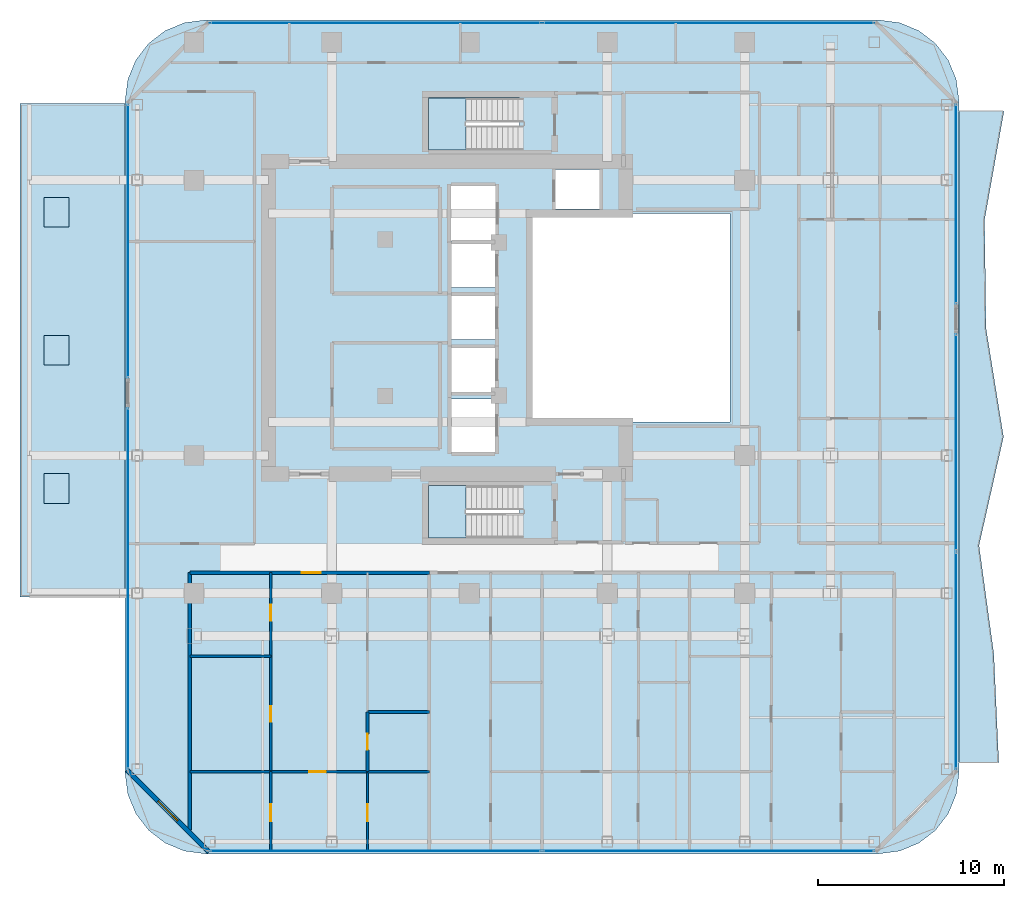
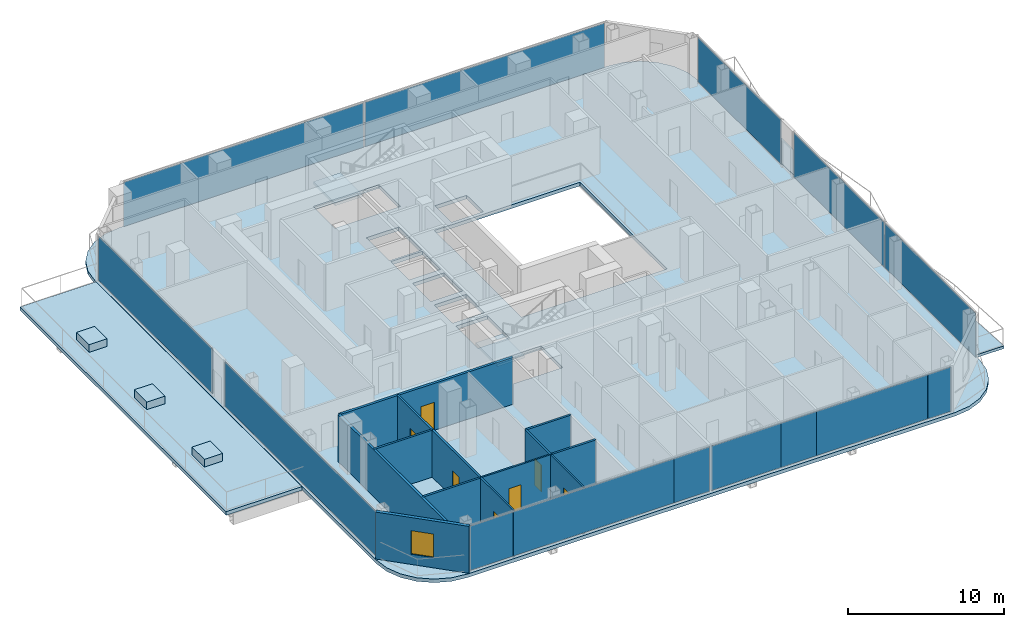
# One storey, part 19 of 26: 14 plates, 13 walls, 8 slabs, 7 doors, 1 window, 8 openings, 8 elements without a shape of their own.
"""IFC4 building model written with IfcOpenShell, lengths in metres."""

from ifc_helpers import new_model, si_unit, direction, frame, frame_2d, origin, origin_2d, place, context, subcontext, project, spatial, polyline, rectangle, outline, extrude, material, layer, layer_set, type_object, element, fill, aggregate, save


model = new_model("IFC4")

# Units and contexts
model_context = context("Model", 3, precision=1e-05, world=origin(), true_north=direction((0.0, 1.0)))
body_context = subcontext(model_context, "Body", "Model", "MODEL_VIEW")
ifc_project = project(units=[si_unit("LENGTHUNIT", "METRE"), si_unit("AREAUNIT", "SQUARE_METRE"), si_unit("VOLUMEUNIT", "CUBIC_METRE"), si_unit("PLANEANGLEUNIT", "RADIAN"), si_unit("MASSUNIT", "GRAM", prefix="KILO")], contexts=[model_context])

# Site, building, storey
site_placement = place(None, origin())
site = spatial("IfcSite", under=ifc_project, at=site_placement, CompositionType="ELEMENT")
building_placement = place(site_placement, origin())
building = spatial("IfcBuilding", under=site, at=building_placement, Name="Khorvyn Point Tower", CompositionType="ELEMENT")
storey_placement = place(building_placement, frame((0.0, 0.0, 219.60009765625)))
storey = spatial("IfcBuildingStorey", under=building, at=storey_placement, Name="L54", CompositionType="ELEMENT", Elevation=219.60009765625)

# Slabs
ifc_material_1 = material(Name="Concrete C35/45", Category="concrete")
ifc_layer_1 = layer(ifc_material_1, 0.239990234375)
ifc_layer_set_1 = layer_set([ifc_layer_1], Name="Concrete C35/45 Setback Terrace Roof Slab 240")
slab_type_1 = type_object("IfcSlabType", Name="Concrete C35/45 Setback Terrace Roof Slab 240", PredefinedType="ROOF", material=ifc_layer_set_1)
slab_1_placement = place(storey_placement, frame((0.0, 0.0, -0.280029296875)))
element("IfcSlab", 1, at=slab_1_placement, inside=storey, type_object=slab_type_1, Name="L54 West Jenga Setback Sky-Garden Terrace", PredefinedType="ROOF", context=body_context, shape_type="SweptSolid", body=[
    extrude(outline(polyline([(-24.14990234375, -15.0), (-18.52001953125, -15.0), (-18.52001953125, 11.5), (-24.14990234375, 11.5), (-24.14990234375, -15.0)])), origin(), (0.0, 0.0, 1.0), 0.280029296875),
])
ifc_layer_2 = layer(ifc_material_1, 0.60009765625)
ifc_layer_set_2 = layer_set([ifc_layer_2], Name="Concrete C35/45 Terrace Tree Planter 600")
slab_type_2 = type_object("IfcSlabType", Name="Concrete C35/45 Terrace Tree Planter 600", PredefinedType="USERDEFINED", material=ifc_layer_set_2)
slab_2_placement = place(storey_placement, origin())
element("IfcSlab", 2, at=slab_2_placement, inside=storey, type_object=slab_type_2, Name="L54 Sky-Terrace Structural Tree Planter 1", ObjectType="PLANTER", PredefinedType="USERDEFINED", context=body_context, shape_type="SweptSolid", body=[
    extrude(outline(polyline([(-22.8544921875, -9.969970703125), (-21.50439453125, -9.969970703125), (-21.50439453125, -8.3701171875), (-22.8544921875, -8.3701171875), (-22.8544921875, -9.969970703125)])), origin(), (0.0, 0.0, 1.0), 0.599853515625),
])
slab_3_placement = place(storey_placement, origin())
element("IfcSlab", 3, at=slab_3_placement, inside=storey, type_object=slab_type_2, Name="L54 Sky-Terrace Structural Tree Planter 2", ObjectType="PLANTER", PredefinedType="USERDEFINED", context=body_context, shape_type="SweptSolid", body=[
    extrude(outline(polyline([(-22.8544921875, -2.550048828125), (-21.50439453125, -2.550048828125), (-21.50439453125, -0.949951171875), (-22.8544921875, -0.949951171875), (-22.8544921875, -2.550048828125)])), origin(), (0.0, 0.0, 1.0), 0.599853515625),
])
slab_4_placement = place(storey_placement, origin())
element("IfcSlab", 4, at=slab_4_placement, inside=storey, type_object=slab_type_2, Name="L54 Sky-Terrace Structural Tree Planter 3", ObjectType="PLANTER", PredefinedType="USERDEFINED", context=body_context, shape_type="SweptSolid", body=[
    extrude(outline(polyline([(-22.8544921875, 4.8701171875), (-21.50439453125, 4.8701171875), (-21.50439453125, 6.469970703125), (-22.8544921875, 6.469970703125), (-22.8544921875, 4.8701171875)])), origin(), (0.0, 0.0, 1.0), 0.599853515625),
])
ifc_material_2 = material(Name="Concrete C40/50", Category="concrete")
ifc_layer_3 = layer(ifc_material_2, 0.2099609375)
ifc_layer_set_3 = layer_set([ifc_layer_3], Name="Concrete C40/50 Rippling Balcony Slab 210")
slab_type_3 = type_object("IfcSlabType", Name="Concrete C40/50 Rippling Balcony Slab 210", PredefinedType="USERDEFINED", material=ifc_layer_set_3)
slab_5_placement = place(storey_placement, frame((0.0, 0.0, -0.210205078125)))
element("IfcSlab", 5, at=slab_5_placement, inside=storey, type_object=slab_type_3, Name="L54 East Sinusoidal Rippling Balcony", ObjectType="BALCONY", PredefinedType="USERDEFINED", context=body_context, shape_type="SweptSolid", body=[
    extrude(outline(polyline([(26.300048828125, -23.89990234375), (28.443603515625, -23.89990234375), (28.177490234375, -18.066650390625), (27.38037109375, -12.2333984375), (28.69775390625, -6.39990234375), (27.7578125, -0.566650390625), (27.679931640625, 5.2666015625), (28.722412109375, 11.10009765625), (26.300048828125, 11.10009765625), (26.300048828125, -23.89990234375)])), origin(), (0.0, 0.0, 1.0), 0.210205078125),
])

# Stair, slab
stair_type = type_object("IfcStairType", Name="Tower Concrete C40/50 Dogleg Exit Stair", PredefinedType="HALF_TURN_STAIR", material=ifc_material_2)
stair_1_placement = place(storey_placement, origin())
stair_1 = element("IfcStair", 6, at=stair_1_placement, inside=storey, type_object=stair_type, Name="L54 Tower Smokeproof Exit Stair South", PredefinedType="HALF_TURN_STAIR")
ifc_layer_4 = layer(ifc_material_2, 0.199951171875)
ifc_layer_set_4 = layer_set([ifc_layer_4], Name="Concrete C40/50 Stair Landing Slab 200")
slab_type_4 = type_object("IfcSlabType", Name="Concrete C40/50 Stair Landing Slab 200", PredefinedType="LANDING", material=ifc_layer_set_4)
slab_6_placement = place(storey_placement, frame((0.0, 0.0, 1.75)))
slab_6 = element("IfcSlab", 7, at=slab_6_placement, type_object=slab_type_4, Name="ST-01 landing 1", PredefinedType="LANDING", context=body_context, shape_type="SweptSolid", body=[
    extrude(outline(polyline([(-0.179931640625, -9.02001953125), (-2.199951171875, -9.02001953125), (-2.199951171875, -11.820068359375), (-0.179931640625, -11.820068359375), (-0.179931640625, -9.02001953125)])), origin(), (0.0, 0.0, 1.0), 0.199951171875),
])
aggregate(stair_1, [slab_6])

stair_2_placement = place(storey_placement, origin())
stair_2 = element("IfcStair", 8, at=stair_2_placement, inside=storey, type_object=stair_type, Name="L54 Tower Smokeproof Exit Stair North", PredefinedType="HALF_TURN_STAIR")
slab_7_placement = place(storey_placement, frame((0.0, 0.0, 1.75)))
slab_7 = element("IfcSlab", 9, at=slab_7_placement, type_object=slab_type_4, Name="ST-02 landing 1", PredefinedType="LANDING", context=body_context, shape_type="SweptSolid", body=[
    extrude(outline(polyline([(-0.179931640625, 11.820068359375), (-2.199951171875, 11.820068359375), (-2.199951171875, 9.02001953125), (-0.179931640625, 9.02001953125), (-0.179931640625, 11.820068359375)])), origin(), (0.0, 0.0, 1.0), 0.199951171875),
])
aggregate(stair_2, [slab_7])

# Slab
ifc_layer_5 = layer(ifc_material_2, 0.280029296875)
ifc_layer_set_5 = layer_set([ifc_layer_5], Name="Concrete C40/50 Structural Floor Slab 280")
slab_type_5 = type_object("IfcSlabType", Name="Concrete C40/50 Structural Floor Slab 280", PredefinedType="FLOOR", material=ifc_layer_set_5)
slab_8_placement = place(storey_placement, frame((0.0, 0.0, -0.280029296875)))
element("IfcSlab", 10, at=slab_8_placement, inside=storey, type_object=slab_type_5, Name="L54 Main Structural Floor Slab", PredefinedType="FLOOR", context=body_context, shape_type="SweptSolid", body=[
    extrude(outline(polyline([(-14.199951171875, -28.800048828125), (-15.31298828125, -28.653564453125), (-16.35009765625, -28.223876953125), (-17.240478515625, -27.54052734375), (-17.923828125, -26.64990234375), (-18.353515625, -25.61279296875), (-18.5, -24.5), (-18.5, 11.699951171875), (-18.353515625, 12.81298828125), (-17.923828125, 13.85009765625), (-17.240478515625, 14.740478515625), (-16.35009765625, 15.423828125), (-15.31298828125, 15.853515625), (-14.199951171875, 16.0), (22.0, 16.0), (23.11279296875, 15.853515625), (24.14990234375, 15.423828125), (25.04052734375, 14.740478515625), (25.723876953125, 13.85009765625), (26.153564453125, 12.81298828125), (26.300048828125, 11.699951171875), (26.300048828125, -24.5), (26.153564453125, -25.61279296875), (25.723876953125, -26.64990234375), (25.04052734375, -27.54052734375), (24.14990234375, -28.223876953125), (23.11279296875, -28.653564453125), (22.0, -28.800048828125), (-14.199951171875, -28.800048828125)]), holes=[polyline([(2.679931640625, -11.820068359375), (2.679931640625, -9.02001953125), (-2.199951171875, -9.02001953125), (-2.199951171875, -11.820068359375), (2.679931640625, -11.820068359375)]), polyline([(1.375, -7.22509765625), (1.375, -4.375), (-0.97509765625, -4.375), (-0.97509765625, -7.22509765625), (1.375, -7.22509765625)]), polyline([(1.375, -3.97509765625), (1.375, -1.625), (-0.97509765625, -1.625), (-0.97509765625, -3.97509765625), (1.375, -3.97509765625)]), polyline([(1.375, -1.175048828125), (1.375, 1.175048828125), (-0.97509765625, 1.175048828125), (-0.97509765625, -1.175048828125), (1.375, -1.175048828125)]), polyline([(14.0, -5.60009765625), (14.0, 5.60009765625), (3.199951171875, 5.60009765625), (3.199951171875, -5.60009765625), (14.0, -5.60009765625)]), polyline([(1.375, 1.625), (1.375, 3.97509765625), (-0.97509765625, 3.97509765625), (-0.97509765625, 1.625), (1.375, 1.625)]), polyline([(1.39990234375, 4.125), (1.39990234375, 7.074951171875), (-1.0, 7.074951171875), (-1.0, 4.125), (1.39990234375, 4.125)]), polyline([(4.625, 5.85009765625), (6.97509765625, 5.85009765625), (6.97509765625, 7.97998046875), (4.625, 7.97998046875), (4.625, 5.85009765625)]), polyline([(-2.199951171875, 9.02001953125), (2.679931640625, 9.02001953125), (2.679931640625, 11.820068359375), (-2.199951171875, 11.820068359375), (-2.199951171875, 9.02001953125)])]), origin(), (0.0, 0.0, 1.0), 0.280029296875),
])

# Curtain wall, plates
ifc_material_3 = material(Name="Anodised aluminium 6063-T6 and laminated Low-E glass", Category="aluminium")
ifc_layer_6 = layer(ifc_material_3, 0.18994140625)
ifc_layer_set_6 = layer_set([ifc_layer_6], Name="Stick-Built Acoustic Curtain Wall CW-SYS-03")
curtain_wall_type = type_object("IfcCurtainWallType", Name="Stick-Built Acoustic Curtain Wall CW-SYS-03", PredefinedType="NOTDEFINED", material=ifc_layer_set_6)
curtain_wall_1_placement = place(storey_placement, origin())
curtain_wall_1 = element("IfcCurtainWall", 11, at=curtain_wall_1_placement, inside=storey, type_object=curtain_wall_type, Name="Curtain Wall", PredefinedType="NOTDEFINED")
ifc_material_4 = material(Name="Laminated Low-E insulated glass", Category="glass")
ifc_layer_7 = layer(ifc_material_4, 0.028076171875)
ifc_layer_set_7 = layer_set([ifc_layer_7], Name="Tempered Low-E Vision Glazing Panel CW-GL28")
plate_type = type_object("IfcPlateType", Name="Tempered Low-E Vision Glazing Panel CW-GL28", PredefinedType="CURTAIN_PANEL", material=ifc_layer_set_7)
plate_1_placement = place(storey_placement, frame((6.54345703125, -28.64990234375, 0.099853515625), z_axis=(0.0, 0.0, 1.0), x_axis=(-1.0, 0.0, 0.0)))
plate_1 = element("IfcPlate", 12, at=plate_1_placement, type_object=plate_type, Name="Panel", PredefinedType="CURTAIN_PANEL", context=body_context, shape_type="SweptSolid", body=[
    extrude(rectangle(XDim=5.178955078125, YDim=0.028076171875, at=origin_2d()), origin(), (0.0, 0.0, 1.0), 3.47998046875),
])
plate_2_placement = place(storey_placement, frame((10.451904296875, -28.64990234375, 0.099853515625), z_axis=(0.0, 0.0, 1.0), x_axis=(-1.0, 0.0, 0.0)))
plate_2 = element("IfcPlate", 13, at=plate_2_placement, type_object=plate_type, Name="Panel", PredefinedType="CURTAIN_PANEL", context=body_context, shape_type="SweptSolid", body=[
    extrude(rectangle(XDim=2.6220703125, YDim=0.028076171875, at=origin_2d()), origin(), (0.0, 0.0, 1.0), 3.47998046875),
])
plate_3_placement = place(storey_placement, frame((15.8984375, -28.64990234375, 0.099853515625), z_axis=(0.0, 0.0, 1.0), x_axis=(-1.0, 0.0, 0.0)))
plate_3 = element("IfcPlate", 14, at=plate_3_placement, type_object=plate_type, Name="Panel", PredefinedType="CURTAIN_PANEL", context=body_context, shape_type="SweptSolid", body=[
    extrude(rectangle(XDim=8.2548828125, YDim=0.028076171875, at=origin_2d()), origin(), (0.0, 0.0, 1.0), 3.47998046875),
])
plate_4_placement = place(storey_placement, frame((20.889892578125, -28.64990234375, 0.099853515625), z_axis=(0.0, 0.0, 1.0), x_axis=(-1.0, 0.0, 0.0)))
plate_4 = element("IfcPlate", 15, at=plate_4_placement, type_object=plate_type, Name="Panel", PredefinedType="CURTAIN_PANEL", context=body_context, shape_type="SweptSolid", body=[
    extrude(rectangle(XDim=1.7119140625, YDim=0.028076171875, at=origin_2d()), origin(), (0.0, 0.0, 1.0), 3.47998046875),
])
plate_5_placement = place(storey_placement, frame((-12.341064453125, -28.64990234375, 0.099853515625), z_axis=(0.0, 0.0, 1.0), x_axis=(-1.0, 0.0, 0.0)))
plate_5 = element("IfcPlate", 16, at=plate_5_placement, type_object=plate_type, Name="Panel", PredefinedType="CURTAIN_PANEL", context=body_context, shape_type="SweptSolid", body=[
    extrude(rectangle(XDim=3.2099609375, YDim=0.028076171875, at=origin_2d()), origin(), (0.0, 0.0, 1.0), 3.47998046875),
])
plate_6_placement = place(storey_placement, frame((-4.760986328125, -28.64990234375, 0.099853515625), z_axis=(0.0, 0.0, 1.0), x_axis=(-1.0, 0.0, 0.0)))
plate_6 = element("IfcPlate", 17, at=plate_6_placement, type_object=plate_type, Name="Panel", PredefinedType="CURTAIN_PANEL", context=body_context, shape_type="SweptSolid", body=[
    extrude(rectangle(XDim=11.93408203125, YDim=0.028076171875, at=origin_2d()), origin(), (0.0, 0.0, 1.0), 3.47998046875),
])
plate_7_placement = place(storey_placement, frame((2.530029296875, -28.64990234375, 0.099853515625), z_axis=(0.0, 0.0, 1.0), x_axis=(-1.0, 0.0, 0.0)))
plate_7 = element("IfcPlate", 18, at=plate_7_placement, type_object=plate_type, Name="Panel", PredefinedType="CURTAIN_PANEL", context=body_context, shape_type="SweptSolid", body=[
    extrude(rectangle(XDim=2.632080078125, YDim=0.028076171875, at=origin_2d()), origin(), (0.0, 0.0, 1.0), 3.47998046875),
])
aggregate(curtain_wall_1, [plate_1, plate_2, plate_3, plate_4, plate_5, plate_6, plate_7])

curtain_wall_2_placement = place(storey_placement, origin())
curtain_wall_2 = element("IfcCurtainWall", 19, at=curtain_wall_2_placement, inside=storey, type_object=curtain_wall_type, Name="Curtain Wall", PredefinedType="NOTDEFINED")
plate_8_placement = place(storey_placement, frame((-5.050048828125, 15.85009765625, 0.099853515625), z_axis=(0.0, 0.0, 1.0), x_axis=(1.0, 0.0, 0.0)))
plate_8 = element("IfcPlate", 20, at=plate_8_placement, type_object=plate_type, Name="Panel", PredefinedType="CURTAIN_PANEL", context=body_context, shape_type="SweptSolid", body=[
    extrude(rectangle(XDim=17.800048828125, YDim=0.028076171875, at=origin_2d()), origin(), (0.0, 0.0, 1.0), 3.47998046875),
])
plate_9_placement = place(storey_placement, frame((12.85009765625, 15.85009765625, 0.099853515625), z_axis=(0.0, 0.0, 1.0), x_axis=(1.0, 0.0, 0.0)))
plate_9 = element("IfcPlate", 21, at=plate_9_placement, type_object=plate_type, Name="Panel", PredefinedType="CURTAIN_PANEL", context=body_context, shape_type="SweptSolid", body=[
    extrude(rectangle(XDim=17.800048828125, YDim=0.028076171875, at=origin_2d()), origin(), (0.0, 0.0, 1.0), 3.47998046875),
])
aggregate(curtain_wall_2, [plate_8, plate_9])

# Curtain wall, plate
curtain_wall_3_placement = place(storey_placement, origin())
curtain_wall_3 = element("IfcCurtainWall", 22, at=curtain_wall_3_placement, inside=storey, type_object=curtain_wall_type, Name="Curtain Wall", PredefinedType="NOTDEFINED")
plate_10_placement = place(storey_placement, frame((-18.35009765625, -14.550048828125, 0.099853515625), z_axis=(0.0, 0.0, 1.0), x_axis=(0.0, 1.0, 0.0)))
plate_10 = element("IfcPlate", 23, at=plate_10_placement, type_object=plate_type, Name="Panel", PredefinedType="CURTAIN_PANEL", context=body_context, shape_type="SweptSolid", body=[
    extrude(rectangle(XDim=19.39990234375, YDim=0.028076171875, at=origin_2d()), origin(), (0.0, 0.0, 1.0), 3.47998046875),
])
aggregate(curtain_wall_3, [plate_10])

curtain_wall_4_placement = place(storey_placement, origin())
curtain_wall_4 = element("IfcCurtainWall", 24, at=curtain_wall_4_placement, inside=storey, type_object=curtain_wall_type, Name="Curtain Wall", PredefinedType="NOTDEFINED")
plate_11_placement = place(storey_placement, frame((-18.35009765625, 4.1201171875, 0.099853515625), z_axis=(0.0, 0.0, 1.0), x_axis=(0.0, 1.0, 0.0)))
plate_11 = element("IfcPlate", 25, at=plate_11_placement, type_object=plate_type, Name="Panel", PredefinedType="CURTAIN_PANEL", context=body_context, shape_type="SweptSolid", body=[
    extrude(rectangle(XDim=14.659912109375, YDim=0.028076171875, at=origin_2d()), origin(), (0.0, 0.0, 1.0), 3.47998046875),
])
aggregate(curtain_wall_4, [plate_11])

curtain_wall_5_placement = place(storey_placement, origin())
curtain_wall_5 = element("IfcCurtainWall", 26, at=curtain_wall_5_placement, inside=storey, type_object=curtain_wall_type, Name="Curtain Wall", PredefinedType="NOTDEFINED")
plate_12_placement = place(storey_placement, frame((26.14990234375, 6.1025390625, 0.099853515625), z_axis=(0.0, 0.0, 1.0), x_axis=(0.0, -1.0, 0.0)))
plate_12 = element("IfcPlate", 27, at=plate_12_placement, type_object=plate_type, Name="Panel", PredefinedType="CURTAIN_PANEL", context=body_context, shape_type="SweptSolid", body=[
    extrude(rectangle(XDim=10.695068359375, YDim=0.028076171875, at=origin_2d()), origin(), (0.0, 0.0, 1.0), 3.47998046875),
])
aggregate(curtain_wall_5, [plate_12])

# Curtain wall, plates
curtain_wall_6_placement = place(storey_placement, origin())
curtain_wall_6 = element("IfcCurtainWall", 28, at=curtain_wall_6_placement, inside=storey, type_object=curtain_wall_type, Name="Curtain Wall", PredefinedType="NOTDEFINED")
plate_13_placement = place(storey_placement, frame((26.14990234375, -6.701171875, 0.099853515625), z_axis=(0.0, 0.0, 1.0), x_axis=(0.0, -1.0, 0.0)))
plate_13 = element("IfcPlate", 29, at=plate_13_placement, type_object=plate_type, Name="Panel", PredefinedType="CURTAIN_PANEL", context=body_context, shape_type="SweptSolid", body=[
    extrude(rectangle(XDim=11.632568359375, YDim=0.028076171875, at=origin_2d()), origin(), (0.0, 0.0, 1.0), 3.47998046875),
])
plate_14_placement = place(storey_placement, frame((26.14990234375, -18.433837890625, 0.099853515625), z_axis=(0.0, 0.0, 1.0), x_axis=(0.0, -1.0, 0.0)))
plate_14 = element("IfcPlate", 30, at=plate_14_placement, type_object=plate_type, Name="Panel", PredefinedType="CURTAIN_PANEL", context=body_context, shape_type="SweptSolid", body=[
    extrude(rectangle(XDim=11.632568359375, YDim=0.028076171875, at=origin_2d()), origin(), (0.0, 0.0, 1.0), 3.47998046875),
])
aggregate(curtain_wall_6, [plate_13, plate_14])

# Wall, opening, door
ifc_material_5 = material(Name="Double acoustic gypsum on twin steel stud", Category="steel")
ifc_layer_8 = layer(ifc_material_5, 0.179931640625)
ifc_layer_set_8 = layer_set([ifc_layer_8], Name="Acoustic Double-Stud Apartment Demising Wall 180")
wall_type_1 = type_object("IfcWallType", Name="Acoustic Double-Stud Apartment Demising Wall 180", PredefinedType="PARTITIONING", material=ifc_layer_set_8)
wall_1_placement = place(storey_placement, frame((-15.02001953125, -13.699951171875, 0.0), z_axis=(0.0, 0.0, 1.0), x_axis=(1.0, 0.0, 0.0)))
wall_1 = element("IfcWall", 31, at=wall_1_placement, inside=storey, type_object=wall_type_1, Name="Wall", PredefinedType="PARTITIONING", context=body_context, shape_type="SweptSolid", body=[
    extrude(rectangle(XDim=12.865966796875, YDim=0.179931640625, at=frame_2d((6.43310546875, 0.0))), origin(), (0.0, 0.0, 1.0), 3.679931640625),
])
opening_1_placement = place(wall_1_placement, frame((6.021728515625, 0.0, 0.0)))
opening_1 = element("IfcOpeningElement", 32, at=opening_1_placement, cuts=wall_1, Name="Opening ID-AP60", PredefinedType="OPENING", context=body_context, shape_type="SweptSolid", body=[
    extrude(rectangle(XDim=1.0, YDim=2.199951171875, at=frame_2d((0.5, 1.10009765625))), frame((0.0, 0.099853515625, 0.0), z_axis=(0.0, -1.0, 0.0), x_axis=(1.0, 0.0, 0.0)), (0.0, 0.0, 1.0), 0.199951171875),
])
ifc_material_6 = material(Name="Engineered hardwood fire-rated leaf", Category="wood")
door_type_1 = type_object("IfcDoorType", Name="Acoustic Solid-Core Timber Apartment Entrance Door 1000x2200", OperationType="NOTDEFINED", PredefinedType="DOOR", material=ifc_material_6)
door_1_placement = place(opening_1_placement, origin())
door_1 = element("IfcDoor", 33, at=door_1_placement, inside=storey, type_object=door_type_1, Name="Door", OperationType="SINGLE_SWING_RIGHT", OverallHeight=2.199951171875, OverallWidth=1.0, PredefinedType="DOOR", context=body_context, shape_type="SweptSolid", body=[
    extrude(rectangle(XDim=1.0, YDim=2.199951171875, at=frame_2d((0.5, 1.10009765625))), frame((0.0, 0.02490234375, 0.0), z_axis=(0.0, -1.0, 0.0), x_axis=(1.0, 0.0, 0.0)), (0.0, 0.0, 1.0), 0.050048828125),
])
fill(opening_1, door_1)

# Wall
wall_2_placement = place(storey_placement, frame((-15.02001953125, -27.510009765625, 0.0), z_axis=(0.0, 0.0, 1.0), x_axis=(0.0, 1.0, 0.0)))
element("IfcWall", 34, at=wall_2_placement, inside=storey, type_object=wall_type_1, Name="Wall", PredefinedType="PARTITIONING", context=body_context, shape_type="SweptSolid", body=[
    extrude(rectangle(XDim=13.81005859375, YDim=0.179931640625, at=frame_2d((6.905029296875, 0.0))), origin(), (0.0, 0.0, 1.0), 3.679931640625),
])

# Wall, opening, window
ifc_material_7 = material(Name="Pale anodised aluminium rainscreen on steel stud", Category="steel")
ifc_layer_9 = layer(ifc_material_7, 0.239990234375)
ifc_layer_set_9 = layer_set([ifc_layer_9], Name="Anodised Aluminium Insulated Corner Spandrel Wall 240")
wall_type_2 = type_object("IfcWallType", Name="Anodised Aluminium Insulated Corner Spandrel Wall 240", PredefinedType="SOLIDWALL", material=ifc_layer_set_9)
wall_3_placement = place(storey_placement, frame((-14.007568359375, -28.6923828125, 0.0), z_axis=(0.0, 0.0, 1.0), x_axis=(-0.707106781187, 0.707106781187, 0.0)))
wall_3 = element("IfcWall", 35, at=wall_3_placement, inside=storey, type_object=wall_type_2, Name="L54 Rounded Corner Wall SW", PredefinedType="SOLIDWALL", context=body_context, shape_type="SweptSolid", body=[
    extrude(rectangle(XDim=6.200927734375, YDim=0.239990234375, at=frame_2d((3.1005859375, 0.0))), origin(), (0.0, 0.0, 1.0), 3.679931640625),
])
opening_2_placement = place(wall_3_placement, frame((2.3505859375, 0.0, 0.800048828125)))
opening_2 = element("IfcOpeningElement", 36, at=opening_2_placement, cuts=wall_3, Name="Opening WN-1518", PredefinedType="OPENING", context=body_context, shape_type="SweptSolid", body=[
    extrude(rectangle(XDim=1.5, YDim=1.85009765625, at=frame_2d((0.75, 0.925048828125))), frame((0.0, 0.1298828125, 0.0), z_axis=(0.0, -1.0, 0.0), x_axis=(1.0, 0.0, 0.0)), (0.0, 0.0, 1.0), 0.260009765625),
])
window_type = type_object("IfcWindowType", Name="Anodised Aluminium Rounded-Corner Panoramic Window 1500x1850", PartitioningType="SINGLE_PANEL", PredefinedType="WINDOW", material=ifc_material_3)
window_placement = place(opening_2_placement, origin())
window = element("IfcWindow", 37, at=window_placement, inside=storey, type_object=window_type, Name="L54 Corner Panoramic Window SW", OverallHeight=1.85009765625, OverallWidth=1.5, PartitioningType="SINGLE_PANEL", PredefinedType="WINDOW", context=body_context, shape_type="SweptSolid", body=[
    extrude(rectangle(XDim=1.5, YDim=1.85009765625, at=frame_2d((0.75, 0.925048828125))), frame((0.0, 0.030029296875, 0.0), z_axis=(0.0, -1.0, 0.0), x_axis=(1.0, 0.0, 0.0)), (0.0, 0.0, 1.0), 0.06005859375),
])
fill(opening_2, window)

# Wall, opening, door
ifc_material_8 = material(Name="Gypsum plasterboard on steel stud", Category="steel")
ifc_layer_10 = layer(ifc_material_8, 0.1201171875)
ifc_layer_set_10 = layer_set([ifc_layer_10], Name="Gypsum Acoustic Stud Room Partition Wall 120")
wall_type_3 = type_object("IfcWallType", Name="Gypsum Acoustic Stud Room Partition Wall 120", PredefinedType="PARTITIONING", material=ifc_layer_set_10)
wall_4_placement = place(storey_placement, frame((-10.672119140625, -24.389892578125, 0.0), z_axis=(0.0, 0.0, 1.0), x_axis=(1.0, 0.0, 0.0)))
wall_4 = element("IfcWall", 38, at=wall_4_placement, inside=storey, type_object=wall_type_3, Name="Wall", PredefinedType="PARTITIONING", context=body_context, shape_type="SweptSolid", body=[
    extrude(rectangle(XDim=5.193115234375, YDim=0.1201171875, at=frame_2d((2.5966796875, 0.0))), origin(), (0.0, 0.0, 1.0), 3.679931640625),
])
opening_3_placement = place(wall_4_placement, frame((2.06005859375, 0.0, 0.0)))
opening_3 = element("IfcOpeningElement", 39, at=opening_3_placement, cuts=wall_4, Name="Opening ID-RM90", PredefinedType="OPENING", context=body_context, shape_type="SweptSolid", body=[
    extrude(rectangle(XDim=0.89990234375, YDim=2.10009765625, at=frame_2d((0.449951171875, 1.050048828125))), frame((0.0, 0.070068359375, 0.0), z_axis=(0.0, -1.0, 0.0), x_axis=(1.0, 0.0, 0.0)), (0.0, 0.0, 1.0), 0.14013671875),
])
ifc_material_9 = material(Name="Engineered oak veneer timber", Category="wood")
door_type_2 = type_object("IfcDoorType", Name="Flush Engineered Timber Room Door 900x2100", OperationType="NOTDEFINED", PredefinedType="DOOR", material=ifc_material_9)
door_2_placement = place(opening_3_placement, origin())
door_2 = element("IfcDoor", 40, at=door_2_placement, inside=storey, type_object=door_type_2, Name="Door", OperationType="SINGLE_SWING_LEFT", OverallHeight=2.10009765625, OverallWidth=0.89990234375, PredefinedType="DOOR", context=body_context, shape_type="SweptSolid", body=[
    extrude(rectangle(XDim=0.89990234375, YDim=2.10009765625, at=frame_2d((0.449951171875, 1.050048828125))), frame((0.0, 0.02490234375, 0.0), z_axis=(0.0, -1.0, 0.0), x_axis=(1.0, 0.0, 0.0)), (0.0, 0.0, 1.0), 0.050048828125),
])
fill(opening_3, door_2)

wall_5_placement = place(storey_placement, frame((-10.672119140625, -28.6298828125, 0.0), z_axis=(0.0, 0.0, 1.0), x_axis=(0.0, 1.0, 0.0)))
wall_5 = element("IfcWall", 41, at=wall_5_placement, inside=storey, type_object=wall_type_3, Name="Wall", PredefinedType="PARTITIONING", context=body_context, shape_type="SweptSolid", body=[
    extrude(rectangle(XDim=4.239990234375, YDim=0.1201171875, at=frame_2d((2.1201171875, 0.0))), origin(), (0.0, 0.0, 1.0), 3.679931640625),
])
opening_4_placement = place(wall_5_placement, frame((1.581298828125, 0.0, 0.0)))
opening_4 = element("IfcOpeningElement", 42, at=opening_4_placement, cuts=wall_5, Name="Opening ID-RM90", PredefinedType="OPENING", context=body_context, shape_type="SweptSolid", body=[
    extrude(rectangle(XDim=0.89990234375, YDim=2.10009765625, at=frame_2d((0.449951171875, 1.050048828125))), frame((0.0, 0.070068359375, 0.0), z_axis=(0.0, -1.0, 0.0), x_axis=(1.0, 0.0, 0.0)), (0.0, 0.0, 1.0), 0.14013671875),
])
door_3_placement = place(opening_4_placement, origin())
door_3 = element("IfcDoor", 43, at=door_3_placement, inside=storey, type_object=door_type_2, Name="Door", OperationType="SINGLE_SWING_RIGHT", OverallHeight=2.10009765625, OverallWidth=0.89990234375, PredefinedType="DOOR", context=body_context, shape_type="SweptSolid", body=[
    extrude(rectangle(XDim=0.89990234375, YDim=2.10009765625, at=frame_2d((0.449951171875, 1.050048828125))), frame((0.0, 0.02490234375, 0.0), z_axis=(0.0, -1.0, 0.0), x_axis=(1.0, 0.0, 0.0)), (0.0, 0.0, 1.0), 0.050048828125),
])
fill(opening_4, door_3)

wall_6_placement = place(storey_placement, frame((-5.47900390625, -28.6298828125, 0.0), z_axis=(0.0, 0.0, 1.0), x_axis=(0.0, 1.0, 0.0)))
wall_6 = element("IfcWall", 44, at=wall_6_placement, inside=storey, type_object=wall_type_3, Name="Wall", PredefinedType="PARTITIONING", context=body_context, shape_type="SweptSolid", body=[
    extrude(rectangle(XDim=4.239990234375, YDim=0.1201171875, at=frame_2d((2.1201171875, 0.0))), origin(), (0.0, 0.0, 1.0), 3.679931640625),
])
opening_5_placement = place(wall_6_placement, frame((1.581298828125, 0.0, 0.0)))
opening_5 = element("IfcOpeningElement", 45, at=opening_5_placement, cuts=wall_6, Name="Opening ID-RM90", PredefinedType="OPENING", context=body_context, shape_type="SweptSolid", body=[
    extrude(rectangle(XDim=0.89990234375, YDim=2.10009765625, at=frame_2d((0.449951171875, 1.050048828125))), frame((0.0, 0.070068359375, 0.0), z_axis=(0.0, -1.0, 0.0), x_axis=(1.0, 0.0, 0.0)), (0.0, 0.0, 1.0), 0.14013671875),
])
door_4_placement = place(opening_5_placement, origin())
door_4 = element("IfcDoor", 46, at=door_4_placement, inside=storey, type_object=door_type_2, Name="Door", OperationType="SINGLE_SWING_LEFT", OverallHeight=2.10009765625, OverallWidth=0.89990234375, PredefinedType="DOOR", context=body_context, shape_type="SweptSolid", body=[
    extrude(rectangle(XDim=0.89990234375, YDim=2.10009765625, at=frame_2d((0.449951171875, 1.050048828125))), frame((0.0, 0.02490234375, 0.0), z_axis=(0.0, -1.0, 0.0), x_axis=(1.0, 0.0, 0.0)), (0.0, 0.0, 1.0), 0.050048828125),
])
fill(opening_5, door_4)

ifc_material_10 = material(Name="Moisture-resistant gypsum and cement board", Category="gypsum")
ifc_layer_11 = layer(ifc_material_10, 0.14990234375)
ifc_layer_set_11 = layer_set([ifc_layer_11], Name="Moisture-Resistant Wet-Room Partition Wall 150")
wall_type_4 = type_object("IfcWallType", Name="Moisture-Resistant Wet-Room Partition Wall 150", PredefinedType="PARTITIONING", material=ifc_layer_set_11)
wall_7_placement = place(storey_placement, frame((-10.672119140625, -24.389892578125, 0.0), z_axis=(0.0, 0.0, 1.0), x_axis=(0.0, 1.0, 0.0)))
wall_7 = element("IfcWall", 47, at=wall_7_placement, inside=storey, type_object=wall_type_4, Name="Wall", PredefinedType="PARTITIONING", context=body_context, shape_type="SweptSolid", body=[
    extrude(rectangle(XDim=6.199951171875, YDim=0.14990234375, at=frame_2d((3.10009765625, 0.0))), origin(), (0.0, 0.0, 1.0), 3.679931640625),
])
opening_6_placement = place(wall_7_placement, frame((2.675048828125, 0.0, 0.0)))
opening_6 = element("IfcOpeningElement", 48, at=opening_6_placement, cuts=wall_7, Name="Opening ID-WC85", PredefinedType="OPENING", context=body_context, shape_type="SweptSolid", body=[
    extrude(rectangle(XDim=0.85009765625, YDim=2.10009765625, at=frame_2d((0.425048828125, 1.050048828125))), frame((0.0, 0.0849609375, 0.0), z_axis=(0.0, -1.0, 0.0), x_axis=(1.0, 0.0, 0.0)), (0.0, 0.0, 1.0), 0.169921875),
])
ifc_material_11 = material(Name="High-pressure laminate on moisture-resistant core", Category="wood")
door_type_3 = type_object("IfcDoorType", Name="Moisture-Resistant Accessible Washroom Door 850x2100", OperationType="NOTDEFINED", PredefinedType="DOOR", material=ifc_material_11)
door_5_placement = place(opening_6_placement, origin())
door_5 = element("IfcDoor", 49, at=door_5_placement, inside=storey, type_object=door_type_3, Name="Door", OperationType="SINGLE_SWING_RIGHT", OverallHeight=2.10009765625, OverallWidth=0.85009765625, PredefinedType="DOOR", context=body_context, shape_type="SweptSolid", body=[
    extrude(rectangle(XDim=0.85009765625, YDim=2.10009765625, at=frame_2d((0.425048828125, 1.050048828125))), frame((0.0, 0.02490234375, 0.0), z_axis=(0.0, -1.0, 0.0), x_axis=(1.0, 0.0, 0.0)), (0.0, 0.0, 1.0), 0.050048828125),
])
fill(opening_6, door_5)

wall_8_placement = place(storey_placement, frame((-10.672119140625, -18.18994140625, 0.0), z_axis=(0.0, 0.0, 1.0), x_axis=(0.0, 1.0, 0.0)))
wall_8 = element("IfcWall", 50, at=wall_8_placement, inside=storey, type_object=wall_type_4, Name="Wall", PredefinedType="PARTITIONING", context=body_context, shape_type="SweptSolid", body=[
    extrude(rectangle(XDim=4.489990234375, YDim=0.14990234375, at=frame_2d((2.2451171875, 0.0))), origin(), (0.0, 0.0, 1.0), 3.679931640625),
])
opening_7_placement = place(wall_8_placement, frame((1.907470703125, 0.0, 0.0)))
opening_7 = element("IfcOpeningElement", 51, at=opening_7_placement, cuts=wall_8, Name="Opening ID-WC85", PredefinedType="OPENING", context=body_context, shape_type="SweptSolid", body=[
    extrude(rectangle(XDim=0.85009765625, YDim=2.10009765625, at=frame_2d((0.425048828125, 1.050048828125))), frame((0.0, 0.0849609375, 0.0), z_axis=(0.0, -1.0, 0.0), x_axis=(1.0, 0.0, 0.0)), (0.0, 0.0, 1.0), 0.169921875),
])
door_6_placement = place(opening_7_placement, origin())
door_6 = element("IfcDoor", 52, at=door_6_placement, inside=storey, type_object=door_type_3, Name="Door", OperationType="SINGLE_SWING_LEFT", OverallHeight=2.10009765625, OverallWidth=0.85009765625, PredefinedType="DOOR", context=body_context, shape_type="SweptSolid", body=[
    extrude(rectangle(XDim=0.85009765625, YDim=2.10009765625, at=frame_2d((0.425048828125, 1.050048828125))), frame((0.0, 0.02490234375, 0.0), z_axis=(0.0, -1.0, 0.0), x_axis=(1.0, 0.0, 0.0)), (0.0, 0.0, 1.0), 0.050048828125),
])
fill(opening_7, door_6)

wall_9_placement = place(storey_placement, frame((-5.47900390625, -24.389892578125, 0.0), z_axis=(0.0, 0.0, 1.0), x_axis=(0.0, 1.0, 0.0)))
wall_9 = element("IfcWall", 53, at=wall_9_placement, inside=storey, type_object=wall_type_4, Name="Wall", PredefinedType="PARTITIONING", context=body_context, shape_type="SweptSolid", body=[
    extrude(rectangle(XDim=3.206787109375, YDim=0.14990234375, at=frame_2d((1.603515625, 0.0))), origin(), (0.0, 0.0, 1.0), 3.679931640625),
])
opening_8_placement = place(wall_9_placement, frame((1.178466796875, 0.0, 0.0)))
opening_8 = element("IfcOpeningElement", 54, at=opening_8_placement, cuts=wall_9, Name="Opening ID-WC85", PredefinedType="OPENING", context=body_context, shape_type="SweptSolid", body=[
    extrude(rectangle(XDim=0.85009765625, YDim=2.10009765625, at=frame_2d((0.425048828125, 1.050048828125))), frame((0.0, 0.0849609375, 0.0), z_axis=(0.0, -1.0, 0.0), x_axis=(1.0, 0.0, 0.0)), (0.0, 0.0, 1.0), 0.169921875),
])
door_7_placement = place(opening_8_placement, origin())
door_7 = element("IfcDoor", 55, at=door_7_placement, inside=storey, type_object=door_type_3, Name="Door", OperationType="SINGLE_SWING_LEFT", OverallHeight=2.10009765625, OverallWidth=0.85009765625, PredefinedType="DOOR", context=body_context, shape_type="SweptSolid", body=[
    extrude(rectangle(XDim=0.85009765625, YDim=2.10009765625, at=frame_2d((0.425048828125, 1.050048828125))), frame((0.0, 0.02490234375, 0.0), z_axis=(0.0, -1.0, 0.0), x_axis=(1.0, 0.0, 0.0)), (0.0, 0.0, 1.0), 0.050048828125),
])
fill(opening_8, door_7)

# Walls
for number, where, z_axis, x_axis, name in (
    (56, (-15.02001953125, -18.18994140625, 0.0), (0.0, 0.0, 1.0), (1.0, 0.0, 0.0), "Wall"),
    (57, (-15.02001953125, -24.389892578125, 0.0), (0.0, 0.0, 1.0), (1.0, 0.0, 0.0), "Wall"),
):
    element("IfcWall", number, at=place(storey_placement, frame(where, z_axis=z_axis, x_axis=x_axis)), inside=storey, type_object=wall_type_4, Name=name, PredefinedType="PARTITIONING", context=body_context, shape_type="SweptSolid", body=[
        extrude(rectangle(XDim=4.347900390625, YDim=0.14990234375, at=frame_2d((2.173828125, 0.0))), origin(), (0.0, 0.0, 1.0), 3.679931640625),
    ])
for number, where, z_axis, x_axis, name in (
    (58, (-5.47900390625, -21.18310546875, 0.0), (0.0, 0.0, 1.0), (1.0, 0.0, 0.0), "Wall"),
    (59, (-5.47900390625, -24.389892578125, 0.0), (0.0, 0.0, 1.0), (1.0, 0.0, 0.0), "Wall"),
):
    element("IfcWall", number, at=place(storey_placement, frame(where, z_axis=z_axis, x_axis=x_axis)), inside=storey, type_object=wall_type_4, Name=name, PredefinedType="PARTITIONING", context=body_context, shape_type="SweptSolid", body=[
        extrude(rectangle(XDim=3.324951171875, YDim=0.14990234375, at=frame_2d((1.66259765625, 0.0))), origin(), (0.0, 0.0, 1.0), 3.679931640625),
    ])

save(model, "model.ifc")
